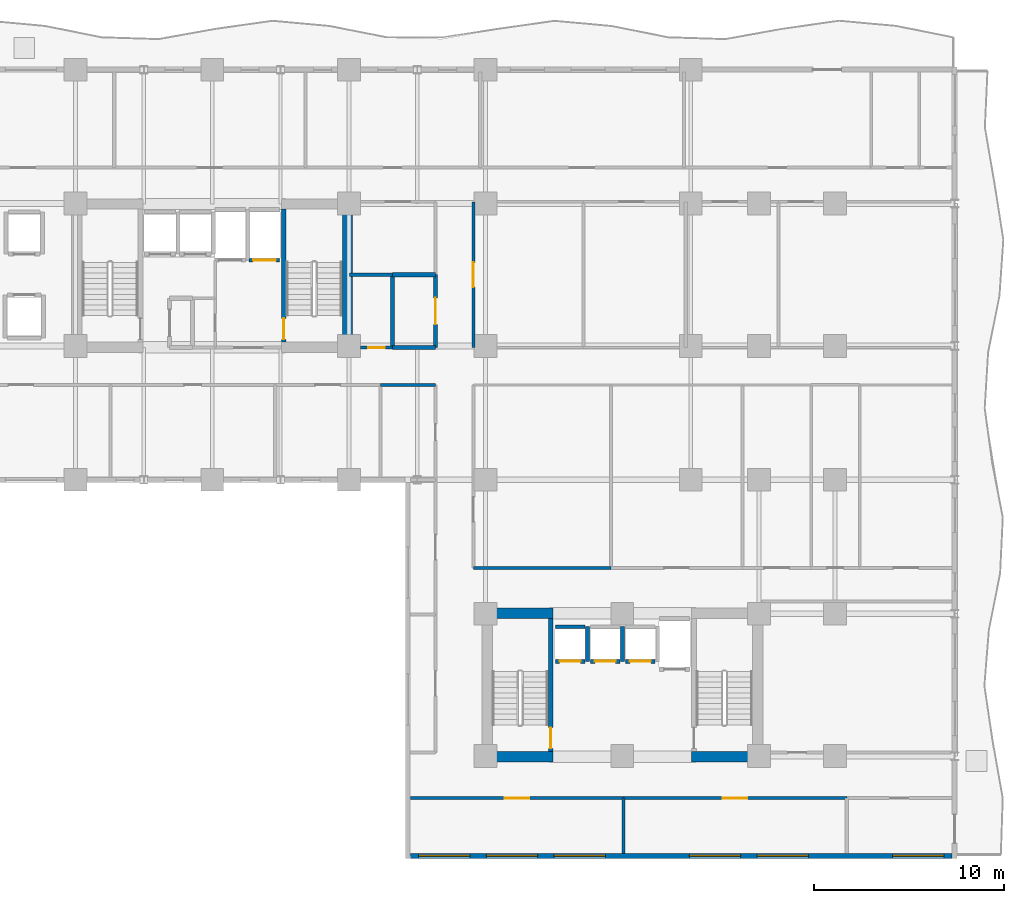
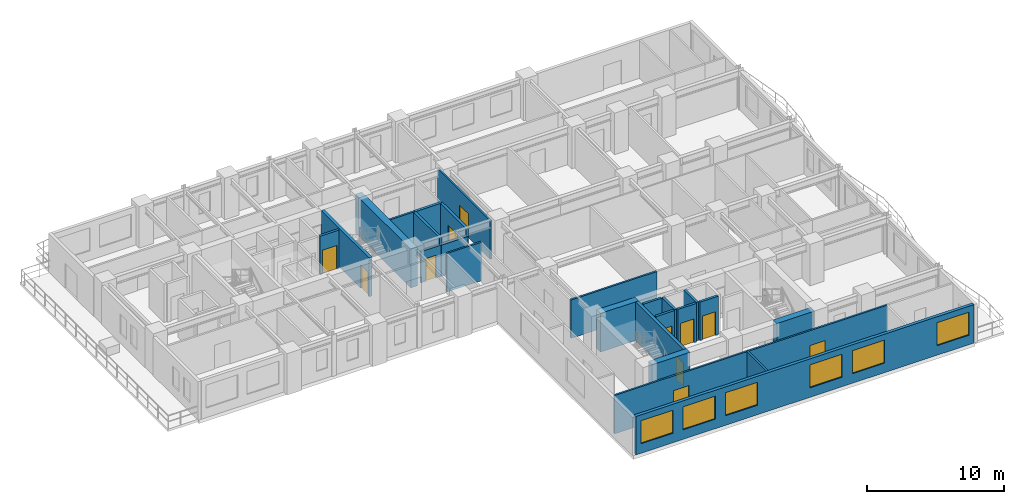
# One storey, part 4 of 11: 26 walls, 11 doors, 6 windows, 17 openings.
"""IFC4 building model written with IfcOpenShell, lengths in metres."""

from ifc_helpers import new_model, si_unit, direction, frame, frame_2d, origin, place, context, subcontext, project, spatial, rectangle, extrude, material, layer, layer_set, type_object, element, fill, save


model = new_model("IFC4")

# Units and contexts
model_context = context("Model", 3, precision=1e-05, world=origin(), true_north=direction((0.0, 1.0)))
body_context = subcontext(model_context, "Body", "Model", "MODEL_VIEW")
ifc_project = project(units=[si_unit("LENGTHUNIT", "METRE"), si_unit("AREAUNIT", "SQUARE_METRE"), si_unit("VOLUMEUNIT", "CUBIC_METRE"), si_unit("PLANEANGLEUNIT", "RADIAN"), si_unit("MASSUNIT", "GRAM", prefix="KILO")], contexts=[model_context])

# Site, building, storey
site_placement = place(None, origin())
site = spatial("IfcSite", under=ifc_project, at=site_placement, CompositionType="ELEMENT")
building_placement = place(site_placement, origin())
building = spatial("IfcBuilding", under=site, at=building_placement, Name="Kaliganga Portal Commons", CompositionType="ELEMENT")
storey_placement = place(building_placement, frame((0.0, 0.0, 78.60009765625)))
storey = spatial("IfcBuildingStorey", under=building, at=storey_placement, Name="L19", CompositionType="ELEMENT", Elevation=78.60009765625)

# Walls
ifc_material_1 = material(Name="Concrete C60/75", Category="concrete")
ifc_layer_1 = layer(ifc_material_1, 0.550048828125)
ifc_layer_set_1 = layer_set([ifc_layer_1], Name="Concrete C60/75")
wall_type_1 = type_object("IfcWallType", Name="WL-CORE-550", PredefinedType="SHEAR", material=ifc_layer_set_1)
wall_1_placement = place(storey_placement, frame((28.72509765625, 28.300048828125, 0.0), z_axis=(0.0, 0.0, 1.0), x_axis=(0.0, 1.0, 0.0)))
element("IfcWall", 1, at=wall_1_placement, inside=storey, type_object=wall_type_1, Name="Core A East Shear Wall L19", PredefinedType="SHEAR", context=body_context, shape_type="SweptSolid", body=[
    extrude(rectangle(XDim=8.099853515625, YDim=0.550048828125, at=frame_2d((4.0498046875, 0.0))), origin(), (0.0, 0.0, 1.0), 3.449951171875),
])
for number, where, z_axis, x_axis, name in (
    (2, (36.35009765625, 7.02490234375, 0.0), (0.0, 0.0, 1.0), (1.0, 0.0, 0.0), "Core B S-West Shear Wall L19"),
    (3, (46.85009765625, 7.02490234375, 0.0), (0.0, 0.0, 1.0), (1.0, 0.0, 0.0), "Core B S-East Shear Wall L19"),
    (4, (36.35009765625, 14.574951171875, 0.0), (0.0, 0.0, 1.0), (1.0, 0.0, 0.0), "Core B N-West Shear Wall L19"),
):
    element("IfcWall", number, at=place(storey_placement, frame(where, z_axis=z_axis, x_axis=x_axis)), inside=storey, type_object=wall_type_1, Name=name, PredefinedType="SHEAR", context=body_context, shape_type="SweptSolid", body=[
        extrude(rectangle(XDim=3.199951171875, YDim=0.550048828125, at=frame_2d((1.60009765625, 0.0))), origin(), (0.0, 0.0, 1.0), 3.449951171875),
    ])

# Wall, openings, windows
ifc_material_2 = material(Name="Insulated Aluminium-Clad Spandrel Assembly", Category="aluminium")
ifc_layer_2 = layer(ifc_material_2, 0.260009765625)
ifc_layer_set_2 = layer_set([ifc_layer_2], Name="Insulated Aluminium-Clad Spandrel Assembly")
wall_type_2 = type_object("IfcWallType", Name="WL-EXT-SPAND-260", PredefinedType="STANDARD", material=ifc_layer_set_2)
wall_2_placement = place(storey_placement, frame((60.56494140625, 1.800048828125, 0.0), z_axis=(0.0, 0.0, 1.0), x_axis=(-1.0, 0.0, 0.0)))
wall_2 = element("IfcWall", 5, at=wall_2_placement, inside=storey, type_object=wall_type_2, Name="Exterior Envelope Wall L19 P1-E00-S1", PredefinedType="STANDARD", context=body_context, shape_type="SweptSolid", body=[
    extrude(rectangle(XDim=28.530029296875, YDim=0.260009765625, at=frame_2d((14.26513671875, 0.0))), origin(), (0.0, 0.0, 1.0), 3.429931640625),
])
opening_1_placement = place(wall_2_placement, frame((0.43310546875, 0.0, 0.85009765625)))
opening_1 = element("IfcOpeningElement", 6, at=opening_1_placement, cuts=wall_2, Name="Opening W-07", PredefinedType="OPENING", context=body_context, shape_type="SweptSolid", body=[
    extrude(rectangle(XDim=2.699951171875, YDim=2.050048828125, at=frame_2d((1.35009765625, 1.02490234375))), frame((0.0, 0.14013671875, 0.0), z_axis=(0.0, -1.0, 0.0), x_axis=(1.0, 0.0, 0.0)), (0.0, 0.0, 1.0), 0.280029296875),
])
opening_2_placement = place(wall_2_placement, frame((7.565673828125, 0.0, 0.85009765625)))
opening_2 = element("IfcOpeningElement", 7, at=opening_2_placement, cuts=wall_2, Name="Opening W-07", PredefinedType="OPENING", context=body_context, shape_type="SweptSolid", body=[
    extrude(rectangle(XDim=2.699951171875, YDim=2.050048828125, at=frame_2d((1.35009765625, 1.02490234375))), frame((0.0, 0.14013671875, 0.0), z_axis=(0.0, -1.0, 0.0), x_axis=(1.0, 0.0, 0.0)), (0.0, 0.0, 1.0), 0.280029296875),
])
opening_3_placement = place(wall_2_placement, frame((11.1318359375, 0.0, 0.85009765625)))
opening_3 = element("IfcOpeningElement", 8, at=opening_3_placement, cuts=wall_2, Name="Opening W-07", PredefinedType="OPENING", context=body_context, shape_type="SweptSolid", body=[
    extrude(rectangle(XDim=2.699951171875, YDim=2.050048828125, at=frame_2d((1.35009765625, 1.02490234375))), frame((0.0, 0.14013671875, 0.0), z_axis=(0.0, -1.0, 0.0), x_axis=(1.0, 0.0, 0.0)), (0.0, 0.0, 1.0), 0.280029296875),
])
opening_4_placement = place(wall_2_placement, frame((18.264404296875, 0.0, 0.85009765625)))
opening_4 = element("IfcOpeningElement", 9, at=opening_4_placement, cuts=wall_2, Name="Opening W-07", PredefinedType="OPENING", context=body_context, shape_type="SweptSolid", body=[
    extrude(rectangle(XDim=2.699951171875, YDim=2.050048828125, at=frame_2d((1.35009765625, 1.02490234375))), frame((0.0, 0.14013671875, 0.0), z_axis=(0.0, -1.0, 0.0), x_axis=(1.0, 0.0, 0.0)), (0.0, 0.0, 1.0), 0.280029296875),
])
opening_5_placement = place(wall_2_placement, frame((21.83056640625, 0.0, 0.85009765625)))
opening_5 = element("IfcOpeningElement", 10, at=opening_5_placement, cuts=wall_2, Name="Opening W-07", PredefinedType="OPENING", context=body_context, shape_type="SweptSolid", body=[
    extrude(rectangle(XDim=2.699951171875, YDim=2.050048828125, at=frame_2d((1.35009765625, 1.02490234375))), frame((0.0, 0.14013671875, 0.0), z_axis=(0.0, -1.0, 0.0), x_axis=(1.0, 0.0, 0.0)), (0.0, 0.0, 1.0), 0.280029296875),
])
opening_6_placement = place(wall_2_placement, frame((25.39697265625, 0.0, 0.85009765625)))
opening_6 = element("IfcOpeningElement", 11, at=opening_6_placement, cuts=wall_2, Name="Opening W-07", PredefinedType="OPENING", context=body_context, shape_type="SweptSolid", body=[
    extrude(rectangle(XDim=2.699951171875, YDim=2.050048828125, at=frame_2d((1.35009765625, 1.02490234375))), frame((0.0, 0.14013671875, 0.0), z_axis=(0.0, -1.0, 0.0), x_axis=(1.0, 0.0, 0.0)), (0.0, 0.0, 1.0), 0.280029296875),
])
ifc_material_3 = material(Name="Thermally Broken Aluminium and Low-E Double Glazing", Category="aluminium")
window_type = type_object("IfcWindowType", Name="WIN-LOUNGE-2700", PartitioningType="TRIPLE_PANEL_VERTICAL", PredefinedType="WINDOW", material=ifc_material_3)
window_1_placement = place(opening_1_placement, origin())
window_1 = element("IfcWindow", 12, at=window_1_placement, inside=storey, type_object=window_type, Name="Facade Window L19-P1E00S1-00", OverallHeight=2.050048828125, OverallWidth=2.699951171875, PartitioningType="SINGLE_PANEL", PredefinedType="WINDOW", context=body_context, shape_type="SweptSolid", body=[
    extrude(rectangle(XDim=2.699951171875, YDim=2.050048828125, at=frame_2d((1.35009765625, 1.02490234375))), frame((0.0, 0.030029296875, 0.0), z_axis=(0.0, -1.0, 0.0), x_axis=(1.0, 0.0, 0.0)), (0.0, 0.0, 1.0), 0.06005859375),
])
fill(opening_1, window_1)
window_2_placement = place(opening_2_placement, origin())
window_2 = element("IfcWindow", 13, at=window_2_placement, inside=storey, type_object=window_type, Name="Facade Window L19-P1E00S1-02", OverallHeight=2.050048828125, OverallWidth=2.699951171875, PartitioningType="SINGLE_PANEL", PredefinedType="WINDOW", context=body_context, shape_type="SweptSolid", body=[
    extrude(rectangle(XDim=2.699951171875, YDim=2.050048828125, at=frame_2d((1.35009765625, 1.02490234375))), frame((0.0, 0.030029296875, 0.0), z_axis=(0.0, -1.0, 0.0), x_axis=(1.0, 0.0, 0.0)), (0.0, 0.0, 1.0), 0.06005859375),
])
fill(opening_2, window_2)
window_3_placement = place(opening_3_placement, origin())
window_3 = element("IfcWindow", 14, at=window_3_placement, inside=storey, type_object=window_type, Name="Facade Window L19-P1E00S1-03", OverallHeight=2.050048828125, OverallWidth=2.699951171875, PartitioningType="SINGLE_PANEL", PredefinedType="WINDOW", context=body_context, shape_type="SweptSolid", body=[
    extrude(rectangle(XDim=2.699951171875, YDim=2.050048828125, at=frame_2d((1.35009765625, 1.02490234375))), frame((0.0, 0.030029296875, 0.0), z_axis=(0.0, -1.0, 0.0), x_axis=(1.0, 0.0, 0.0)), (0.0, 0.0, 1.0), 0.06005859375),
])
fill(opening_3, window_3)
window_4_placement = place(opening_4_placement, origin())
window_4 = element("IfcWindow", 15, at=window_4_placement, inside=storey, type_object=window_type, Name="Facade Window L19-P1E00S1-05", OverallHeight=2.050048828125, OverallWidth=2.699951171875, PartitioningType="SINGLE_PANEL", PredefinedType="WINDOW", context=body_context, shape_type="SweptSolid", body=[
    extrude(rectangle(XDim=2.699951171875, YDim=2.050048828125, at=frame_2d((1.35009765625, 1.02490234375))), frame((0.0, 0.030029296875, 0.0), z_axis=(0.0, -1.0, 0.0), x_axis=(1.0, 0.0, 0.0)), (0.0, 0.0, 1.0), 0.06005859375),
])
fill(opening_4, window_4)
window_5_placement = place(opening_5_placement, origin())
window_5 = element("IfcWindow", 16, at=window_5_placement, inside=storey, type_object=window_type, Name="Facade Window L19-P1E00S1-06", OverallHeight=2.050048828125, OverallWidth=2.699951171875, PartitioningType="SINGLE_PANEL", PredefinedType="WINDOW", context=body_context, shape_type="SweptSolid", body=[
    extrude(rectangle(XDim=2.699951171875, YDim=2.050048828125, at=frame_2d((1.35009765625, 1.02490234375))), frame((0.0, 0.030029296875, 0.0), z_axis=(0.0, -1.0, 0.0), x_axis=(1.0, 0.0, 0.0)), (0.0, 0.0, 1.0), 0.06005859375),
])
fill(opening_5, window_5)
window_6_placement = place(opening_6_placement, origin())
window_6 = element("IfcWindow", 17, at=window_6_placement, inside=storey, type_object=window_type, Name="Facade Window L19-P1E00S1-07", OverallHeight=2.050048828125, OverallWidth=2.699951171875, PartitioningType="SINGLE_PANEL", PredefinedType="WINDOW", context=body_context, shape_type="SweptSolid", body=[
    extrude(rectangle(XDim=2.699951171875, YDim=2.050048828125, at=frame_2d((1.35009765625, 1.02490234375))), frame((0.0, 0.030029296875, 0.0), z_axis=(0.0, -1.0, 0.0), x_axis=(1.0, 0.0, 0.0)), (0.0, 0.0, 1.0), 0.06005859375),
])
fill(opening_6, window_6)

# Wall, opening, door
ifc_material_4 = material(Name="Fire-Rated Gypsum Board on Steel Stud", Category="steel")
ifc_layer_3 = layer(ifc_material_4, 0.14990234375)
ifc_layer_set_3 = layer_set([ifc_layer_3], Name="Fire-Rated Gypsum Board on Steel Stud")
wall_type_3 = type_object("IfcWallType", Name="WL-PART-CORR-150", PredefinedType="PARTITIONING", material=ifc_layer_set_3)
wall_3_placement = place(storey_placement, frame((43.260009765625, 4.840087890625, 0.0), z_axis=(0.0, 0.0, 1.0), x_axis=(1.0, 0.0, 0.0)))
wall_3 = element("IfcWall", 18, at=wall_3_placement, inside=storey, type_object=wall_type_3, Name="Interior Partition L19-001", PredefinedType="PARTITIONING", context=body_context, shape_type="SweptSolid", body=[
    extrude(rectangle(XDim=11.760009765625, YDim=0.14990234375, at=frame_2d((5.8798828125, 0.0))), origin(), (0.0, 0.0, 1.0), 3.429931640625),
])
opening_7_placement = place(wall_3_placement, frame((5.22998046875, 0.0, 0.0)))
opening_7 = element("IfcOpeningElement", 19, at=opening_7_placement, cuts=wall_3, Name="Opening RD-03", PredefinedType="OPENING", context=body_context, shape_type="SweptSolid", body=[
    extrude(rectangle(XDim=1.300048828125, YDim=2.1201171875, at=frame_2d((0.64990234375, 1.06005859375))), frame((0.0, 0.0849609375, 0.0), z_axis=(0.0, -1.0, 0.0), x_axis=(1.0, 0.0, 0.0)), (0.0, 0.0, 1.0), 0.169921875),
])
ifc_material_5 = material(Name="Glazed Timber Seminar Vision Door", Category="wood")
door_type_1 = type_object("IfcDoorType", Name="DR-STUDY-1300", OperationType="DOUBLE_DOOR_SINGLE_SWING", PredefinedType="DOOR", material=ifc_material_5)
door_1_placement = place(opening_7_placement, origin())
door_1 = element("IfcDoor", 20, at=door_1_placement, inside=storey, type_object=door_type_1, Name="Interior Door L19-BS02", OperationType="DOUBLE_DOOR_SINGLE_SWING", OverallHeight=2.1201171875, OverallWidth=1.300048828125, PredefinedType="DOOR", context=body_context, shape_type="SweptSolid", body=[
    extrude(rectangle(XDim=1.300048828125, YDim=2.1201171875, at=frame_2d((0.64990234375, 1.06005859375))), frame((0.0, 0.02490234375, 0.0), z_axis=(0.0, -1.0, 0.0), x_axis=(1.0, 0.0, 0.0)), (0.0, 0.0, 1.0), 0.050048828125),
])
fill(opening_7, door_1)

wall_4_placement = place(storey_placement, frame((32.031982421875, 4.840087890625, 0.0), z_axis=(0.0, 0.0, 1.0), x_axis=(1.0, 0.0, 0.0)))
wall_4 = element("IfcWall", 21, at=wall_4_placement, inside=storey, type_object=wall_type_3, Name="Interior Partition L19-002", PredefinedType="PARTITIONING", context=body_context, shape_type="SweptSolid", body=[
    extrude(rectangle(XDim=11.22802734375, YDim=0.14990234375, at=frame_2d((5.614013671875, 0.0))), origin(), (0.0, 0.0, 1.0), 3.429931640625),
])
opening_8_placement = place(wall_4_placement, frame((4.964111328125, 0.0, 0.0)))
opening_8 = element("IfcOpeningElement", 22, at=opening_8_placement, cuts=wall_4, Name="Opening RD-03", PredefinedType="OPENING", context=body_context, shape_type="SweptSolid", body=[
    extrude(rectangle(XDim=1.300048828125, YDim=2.1201171875, at=frame_2d((0.64990234375, 1.06005859375))), frame((0.0, 0.0849609375, 0.0), z_axis=(0.0, -1.0, 0.0), x_axis=(1.0, 0.0, 0.0)), (0.0, 0.0, 1.0), 0.169921875),
])
door_2_placement = place(opening_8_placement, origin())
door_2 = element("IfcDoor", 23, at=door_2_placement, inside=storey, type_object=door_type_1, Name="Interior Door L19-BS01", OperationType="DOUBLE_DOOR_SINGLE_SWING", OverallHeight=2.1201171875, OverallWidth=1.300048828125, PredefinedType="DOOR", context=body_context, shape_type="SweptSolid", body=[
    extrude(rectangle(XDim=1.300048828125, YDim=2.1201171875, at=frame_2d((0.64990234375, 1.06005859375))), frame((0.0, 0.02490234375, 0.0), z_axis=(0.0, -1.0, 0.0), x_axis=(1.0, 0.0, 0.0)), (0.0, 0.0, 1.0), 0.050048828125),
])
fill(opening_8, door_2)

wall_5_placement = place(storey_placement, frame((35.360107421875, 28.56005859375, 0.0), z_axis=(0.0, 0.0, 1.0), x_axis=(0.0, 1.0, 0.0)))
wall_5 = element("IfcWall", 24, at=wall_5_placement, inside=storey, type_object=wall_type_3, Name="Interior Partition L19-016", PredefinedType="PARTITIONING", context=body_context, shape_type="SweptSolid", body=[
    extrude(rectangle(XDim=7.679931640625, YDim=0.14990234375, at=frame_2d((3.83984375, 0.0))), origin(), (0.0, 0.0, 1.0), 3.429931640625),
])
opening_9_placement = place(wall_5_placement, frame((3.18994140625, 0.0, 0.0)))
opening_9 = element("IfcOpeningElement", 25, at=opening_9_placement, cuts=wall_5, Name="Opening RD-03", PredefinedType="OPENING", context=body_context, shape_type="SweptSolid", body=[
    extrude(rectangle(XDim=1.300048828125, YDim=2.1201171875, at=frame_2d((0.64990234375, 1.06005859375))), frame((0.0, 0.0849609375, 0.0), z_axis=(0.0, -1.0, 0.0), x_axis=(1.0, 0.0, 0.0)), (0.0, 0.0, 1.0), 0.169921875),
])
door_3_placement = place(opening_9_placement, origin())
door_3 = element("IfcDoor", 26, at=door_3_placement, inside=storey, type_object=door_type_1, Name="Interior Door L19-BK01", OperationType="DOUBLE_DOOR_SINGLE_SWING", OverallHeight=2.1201171875, OverallWidth=1.300048828125, PredefinedType="DOOR", context=body_context, shape_type="SweptSolid", body=[
    extrude(rectangle(XDim=1.300048828125, YDim=2.1201171875, at=frame_2d((0.64990234375, 1.06005859375))), frame((0.0, 0.02490234375, 0.0), z_axis=(0.0, -1.0, 0.0), x_axis=(1.0, 0.0, 0.0)), (0.0, 0.0, 1.0), 0.050048828125),
])
fill(opening_9, door_3)

# Walls
wall_6_placement = place(storey_placement, frame((35.360107421875, 16.9599609375, 0.0), z_axis=(0.0, 0.0, 1.0), x_axis=(1.0, 0.0, 0.0)))
element("IfcWall", 27, at=wall_6_placement, inside=storey, type_object=wall_type_3, Name="Interior Partition L19-018", PredefinedType="PARTITIONING", context=body_context, shape_type="SweptSolid", body=[
    extrude(rectangle(XDim=7.239990234375, YDim=0.14990234375, at=frame_2d((3.6201171875, 0.0))), origin(), (0.0, 0.0, 1.0), 3.429931640625),
])
wall_7_placement = place(storey_placement, frame((30.4599609375, 26.60009765625, 0.0), z_axis=(0.0, 0.0, 1.0), x_axis=(1.0, 0.0, 0.0)))
element("IfcWall", 28, at=wall_7_placement, inside=storey, type_object=wall_type_3, Name="Interior Partition L19-033", PredefinedType="PARTITIONING", context=body_context, shape_type="SweptSolid", body=[
    extrude(rectangle(XDim=2.900146484375, YDim=0.14990234375, at=frame_2d((1.4501953125, 0.0))), origin(), (0.0, 0.0, 1.0), 3.429931640625),
])

# Wall, opening, door
wall_8_placement = place(storey_placement, frame((29.39990234375, 28.56005859375, 0.0), z_axis=(0.0, 0.0, 1.0), x_axis=(1.0, 0.0, 0.0)))
wall_8 = element("IfcWall", 29, at=wall_8_placement, inside=storey, type_object=wall_type_3, Name="Interior Partition L19-038", PredefinedType="PARTITIONING", context=body_context, shape_type="SweptSolid", body=[
    extrude(rectangle(XDim=1.7001953125, YDim=0.14990234375, at=frame_2d((0.85009765625, 0.0))), origin(), (0.0, 0.0, 1.0), 2.77978515625),
])
opening_10_placement = place(wall_8_placement, frame((0.419921875, 0.0, 0.0)))
opening_10 = element("IfcOpeningElement", 30, at=opening_10_placement, cuts=wall_8, Name="Opening WD-02", PredefinedType="OPENING", context=body_context, shape_type="SweptSolid", body=[
    extrude(rectangle(XDim=0.860107421875, YDim=2.02001953125, at=frame_2d((0.43017578125, 1.010009765625))), frame((0.0, 0.0849609375, 0.0), z_axis=(0.0, -1.0, 0.0), x_axis=(1.0, 0.0, 0.0)), (0.0, 0.0, 1.0), 0.169921875),
])
ifc_material_6 = material(Name="Fire-Rated Utility Closet Door", Category="wood")
door_type_2 = type_object("IfcDoorType", Name="DR-STORE-800", OperationType="NOTDEFINED", PredefinedType="DOOR", material=ifc_material_6)
door_4_placement = place(opening_10_placement, origin())
door_4 = element("IfcDoor", 31, at=door_4_placement, inside=storey, type_object=door_type_2, Name="Interior Door L19-CSRV_A1", OperationType="SINGLE_SWING_LEFT", OverallHeight=2.02001953125, OverallWidth=0.860107421875, PredefinedType="DOOR", context=body_context, shape_type="SweptSolid", body=[
    extrude(rectangle(XDim=0.860107421875, YDim=2.02001953125, at=frame_2d((0.43017578125, 1.010009765625))), frame((0.0, 0.02490234375, 0.0), z_axis=(0.0, -1.0, 0.0), x_axis=(1.0, 0.0, 0.0)), (0.0, 0.0, 1.0), 0.050048828125),
])
fill(opening_10, door_4)

ifc_material_7 = material(Name="Lightweight blockwork masonry", Category="masonry")
ifc_layer_4 = layer(ifc_material_7, 0.215087890625)
ifc_layer_set_4 = layer_set([ifc_layer_4], Name="Lightweight blockwork masonry")
wall_type_4 = type_object("IfcWallType", Name="WL-PART-PLANT-215", PredefinedType="PARTITIONING", material=ifc_layer_set_4)
wall_9_placement = place(storey_placement, frame((33.360107421875, 28.56005859375, 0.0), z_axis=(0.0, 0.0, 1.0), x_axis=(0.0, 1.0, 0.0)))
wall_9 = element("IfcWall", 32, at=wall_9_placement, inside=storey, type_object=wall_type_4, Name="Interior Partition L19-031", PredefinedType="PARTITIONING", context=body_context, shape_type="SweptSolid", body=[
    extrude(rectangle(XDim=3.83984375, YDim=0.215087890625, at=frame_2d((1.919921875, 0.0))), origin(), (0.0, 0.0, 1.0), 3.429931640625),
])
opening_11_placement = place(wall_9_placement, frame((1.219970703125, 0.0, 0.0)))
opening_11 = element("IfcOpeningElement", 33, at=opening_11_placement, cuts=wall_9, Name="Opening PD-01", PredefinedType="OPENING", context=body_context, shape_type="SweptSolid", body=[
    extrude(rectangle(XDim=1.39990234375, YDim=2.14990234375, at=frame_2d((0.699951171875, 1.074951171875))), frame((0.0, 0.11767578125, 0.0), z_axis=(0.0, -1.0, 0.0), x_axis=(1.0, 0.0, 0.0)), (0.0, 0.0, 1.0), 0.235107421875),
])
ifc_material_8 = material(Name="Heavy-Duty Steel Acoustic Louvre Fire Door", Category="steel")
door_type_3 = type_object("IfcDoorType", Name="DR-PLANT-1400", OperationType="DOUBLE_DOOR_SINGLE_SWING", PredefinedType="DOOR", material=ifc_material_8)
door_5_placement = place(opening_11_placement, origin())
door_5 = element("IfcDoor", 34, at=door_5_placement, inside=storey, type_object=door_type_3, Name="Interior Door L19-CSRV_A3", OperationType="DOUBLE_DOOR_SINGLE_SWING", OverallHeight=2.14990234375, OverallWidth=1.39990234375, PredefinedType="DOOR", context=body_context, shape_type="SweptSolid", body=[
    extrude(rectangle(XDim=1.39990234375, YDim=2.14990234375, at=frame_2d((0.699951171875, 1.074951171875))), frame((0.0, 0.02490234375, 0.0), z_axis=(0.0, -1.0, 0.0), x_axis=(1.0, 0.0, 0.0)), (0.0, 0.0, 1.0), 0.050048828125),
])
fill(opening_11, door_5)

# Walls
wall_10_placement = place(storey_placement, frame((31.10009765625, 28.56005859375, 0.0), z_axis=(0.0, 0.0, 1.0), x_axis=(1.0, 0.0, 0.0)))
element("IfcWall", 35, at=wall_10_placement, inside=storey, type_object=wall_type_4, Name="Interior Partition L19-039", PredefinedType="PARTITIONING", context=body_context, shape_type="SweptSolid", body=[
    extrude(rectangle(XDim=2.260009765625, YDim=0.215087890625, at=frame_2d((1.1298828125, 0.0))), origin(), (0.0, 0.0, 1.0), 2.77978515625),
])
wall_11_placement = place(storey_placement, frame((31.10009765625, 28.56005859375, 0.0), z_axis=(0.0, 0.0, 1.0), x_axis=(0.0, 1.0, 0.0)))
element("IfcWall", 36, at=wall_11_placement, inside=storey, type_object=wall_type_4, Name="Interior Partition L19-071", PredefinedType="PARTITIONING", context=body_context, shape_type="SweptSolid", body=[
    extrude(rectangle(XDim=3.83984375, YDim=0.215087890625, at=frame_2d((1.919921875, 0.0))), origin(), (0.0, 0.0, 1.0), 3.429931640625),
])
wall_12_placement = place(storey_placement, frame((31.10009765625, 32.39990234375, 0.0), z_axis=(0.0, 0.0, 1.0), x_axis=(1.0, 0.0, 0.0)))
element("IfcWall", 37, at=wall_12_placement, inside=storey, type_object=wall_type_4, Name="Interior Partition L19-079", PredefinedType="PARTITIONING", context=body_context, shape_type="SweptSolid", body=[
    extrude(rectangle(XDim=2.260009765625, YDim=0.215087890625, at=frame_2d((1.1298828125, 0.0))), origin(), (0.0, 0.0, 1.0), 3.429931640625),
])
ifc_material_9 = material(Name="Twin-Stud Acoustic Gypsum Partition", Category="gypsum")
ifc_layer_5 = layer(ifc_material_9, 0.1650390625)
ifc_layer_set_5 = layer_set([ifc_layer_5], Name="Twin-Stud Acoustic Gypsum Partition")
wall_type_5 = type_object("IfcWallType", Name="WL-PART-UNIT-165", PredefinedType="PARTITIONING", material=ifc_layer_set_5)
wall_13_placement = place(storey_placement, frame((43.260009765625, 1.931884765625, 0.0), z_axis=(0.0, 0.0, 1.0), x_axis=(0.0, 1.0, 0.0)))
element("IfcWall", 38, at=wall_13_placement, inside=storey, type_object=wall_type_5, Name="Interior Partition L19-074", PredefinedType="PARTITIONING", context=body_context, shape_type="SweptSolid", body=[
    extrude(rectangle(XDim=2.908203125, YDim=0.1650390625, at=frame_2d((1.4541015625, 0.0))), origin(), (0.0, 0.0, 1.0), 3.429931640625),
])
wall_14_placement = place(storey_placement, frame((28.840087890625, 32.39990234375, 0.0), z_axis=(0.0, 0.0, 1.0), x_axis=(1.0, 0.0, 0.0)))
element("IfcWall", 39, at=wall_14_placement, inside=storey, type_object=wall_type_5, Name="Interior Partition L19-078", PredefinedType="PARTITIONING", context=body_context, shape_type="SweptSolid", body=[
    extrude(rectangle(XDim=2.260009765625, YDim=0.1650390625, at=frame_2d((1.1298828125, 0.0))), origin(), (0.0, 0.0, 1.0), 3.429931640625),
])

# Wall, opening, door
ifc_material_10 = material(Name="Fire-Rated Shaftwall Masonry Assembly", Category="masonry")
ifc_layer_6 = layer(ifc_material_10, 0.199951171875)
ifc_layer_set_6 = layer_set([ifc_layer_6], Name="Fire-Rated Shaftwall Masonry Assembly")
wall_type_6 = type_object("IfcWallType", Name="WL-SHAFT-200", PredefinedType="PARTITIONING", material=ifc_layer_set_6)
wall_15_placement = place(storey_placement, frame((23.550048828125, 33.159912109375, 0.0), z_axis=(0.0, 0.0, 1.0), x_axis=(1.0, 0.0, 0.0)))
wall_15 = element("IfcWall", 40, at=wall_15_placement, inside=storey, type_object=wall_type_6, Name="Lift FFL-2 Hoistway Shaft Wall L19-S", PredefinedType="PARTITIONING", context=body_context, shape_type="SweptSolid", body=[
    extrude(rectangle(XDim=1.599853515625, YDim=0.199951171875, at=frame_2d((0.7998046875, 0.0))), origin(), (0.0, 0.0, 1.0), 3.429931640625),
])
opening_12_placement = place(wall_15_placement, frame((0.199951171875, 0.0, 0.0)))
opening_12 = element("IfcOpeningElement", 41, at=opening_12_placement, cuts=wall_15, Name="Opening LD-02", PredefinedType="OPENING", context=body_context, shape_type="SweptSolid", body=[
    extrude(rectangle(XDim=1.199951171875, YDim=2.1201171875, at=frame_2d((0.60009765625, 1.06005859375))), frame((0.0, 0.10986328125, 0.0), z_axis=(0.0, -1.0, 0.0), x_axis=(1.0, 0.0, 0.0)), (0.0, 0.0, 1.0), 0.219970703125),
])
ifc_material_11 = material(Name="Brushed Stainless Steel 316 Stretcher Lift Landing Door", Category="steel")
door_type_4 = type_object("IfcDoorType", Name="DR-LIFT-1200", OperationType="SLIDING_TO_RIGHT", PredefinedType="DOOR", material=ifc_material_11)
door_6_placement = place(opening_12_placement, origin())
door_6 = element("IfcDoor", 42, at=door_6_placement, inside=storey, type_object=door_type_4, Name="Lift FFL-2 Sliding Landing Door L19", OperationType="SLIDING_TO_RIGHT", OverallHeight=2.1201171875, OverallWidth=1.199951171875, PredefinedType="DOOR", context=body_context, shape_type="SweptSolid", body=[
    extrude(rectangle(XDim=1.199951171875, YDim=2.1201171875, at=frame_2d((0.60009765625, 1.06005859375))), frame((0.0, 0.02490234375, 0.0), z_axis=(0.0, -1.0, 0.0), x_axis=(1.0, 0.0, 0.0)), (0.0, 0.0, 1.0), 0.050048828125),
])
fill(opening_12, door_6)

wall_16_placement = place(storey_placement, frame((39.675048828125, 12.034912109375, 0.0), z_axis=(0.0, 0.0, 1.0), x_axis=(1.0, 0.0, 0.0)))
wall_16 = element("IfcWall", 43, at=wall_16_placement, inside=storey, type_object=wall_type_6, Name="Lift PL-B1 Hoistway Shaft Wall L19-S", PredefinedType="PARTITIONING", context=body_context, shape_type="SweptSolid", body=[
    extrude(rectangle(XDim=1.550048828125, YDim=0.199951171875, at=frame_2d((0.77490234375, 0.0))), origin(), (0.0, 0.0, 1.0), 3.429931640625),
])
opening_13_placement = place(wall_16_placement, frame((0.22509765625, 0.0, 0.0)))
opening_13 = element("IfcOpeningElement", 44, at=opening_13_placement, cuts=wall_16, Name="Opening LD-01", PredefinedType="OPENING", context=body_context, shape_type="SweptSolid", body=[
    extrude(rectangle(XDim=1.10009765625, YDim=2.1201171875, at=frame_2d((0.550048828125, 1.06005859375))), frame((0.0, 0.10986328125, 0.0), z_axis=(0.0, -1.0, 0.0), x_axis=(1.0, 0.0, 0.0)), (0.0, 0.0, 1.0), 0.219970703125),
])
ifc_material_12 = material(Name="Brushed Stainless Steel 316 Lift Landing Door", Category="steel")
door_type_5 = type_object("IfcDoorType", Name="DR-LIFT-1100", OperationType="SLIDING_TO_LEFT", PredefinedType="DOOR", material=ifc_material_12)
door_7_placement = place(opening_13_placement, origin())
door_7 = element("IfcDoor", 45, at=door_7_placement, inside=storey, type_object=door_type_5, Name="Lift PL-B1 Sliding Landing Door L19", OperationType="SLIDING_TO_LEFT", OverallHeight=2.1201171875, OverallWidth=1.10009765625, PredefinedType="DOOR", context=body_context, shape_type="SweptSolid", body=[
    extrude(rectangle(XDim=1.10009765625, YDim=2.1201171875, at=frame_2d((0.550048828125, 1.06005859375))), frame((0.0, 0.02490234375, 0.0), z_axis=(0.0, -1.0, 0.0), x_axis=(1.0, 0.0, 0.0)), (0.0, 0.0, 1.0), 0.050048828125),
])
fill(opening_13, door_7)

# Walls
wall_17_placement = place(storey_placement, frame((39.675048828125, 13.864990234375, 0.0), z_axis=(0.0, 0.0, 1.0), x_axis=(1.0, 0.0, 0.0)))
element("IfcWall", 46, at=wall_17_placement, inside=storey, type_object=wall_type_6, Name="Lift PL-B1 Hoistway Shaft Wall L19-N", PredefinedType="PARTITIONING", context=body_context, shape_type="SweptSolid", body=[
    extrude(rectangle(XDim=1.550048828125, YDim=0.199951171875, at=frame_2d((0.77490234375, 0.0))), origin(), (0.0, 0.0, 1.0), 3.429931640625),
])
wall_18_placement = place(storey_placement, frame((41.364990234375, 12.034912109375, 0.0), z_axis=(0.0, 0.0, 1.0), x_axis=(0.0, 1.0, 0.0)))
element("IfcWall", 47, at=wall_18_placement, inside=storey, type_object=wall_type_6, Name="Lift PL-B1 Hoistway Shaft Wall L19-E", PredefinedType="PARTITIONING", context=body_context, shape_type="SweptSolid", body=[
    extrude(rectangle(XDim=1.830078125, YDim=0.199951171875, at=frame_2d((0.9150390625, 0.0))), origin(), (0.0, 0.0, 1.0), 3.429931640625),
])

# Wall, opening, door
wall_19_placement = place(storey_placement, frame((41.52490234375, 12.034912109375, 0.0), z_axis=(0.0, 0.0, 1.0), x_axis=(1.0, 0.0, 0.0)))
wall_19 = element("IfcWall", 48, at=wall_19_placement, inside=storey, type_object=wall_type_6, Name="Lift PL-B2 Hoistway Shaft Wall L19-S", PredefinedType="PARTITIONING", context=body_context, shape_type="SweptSolid", body=[
    extrude(rectangle(XDim=1.550048828125, YDim=0.199951171875, at=frame_2d((0.77490234375, 0.0))), origin(), (0.0, 0.0, 1.0), 3.429931640625),
])
opening_14_placement = place(wall_19_placement, frame((0.22509765625, 0.0, 0.0)))
opening_14 = element("IfcOpeningElement", 49, at=opening_14_placement, cuts=wall_19, Name="Opening LD-01", PredefinedType="OPENING", context=body_context, shape_type="SweptSolid", body=[
    extrude(rectangle(XDim=1.10009765625, YDim=2.1201171875, at=frame_2d((0.550048828125, 1.06005859375))), frame((0.0, 0.10986328125, 0.0), z_axis=(0.0, -1.0, 0.0), x_axis=(1.0, 0.0, 0.0)), (0.0, 0.0, 1.0), 0.219970703125),
])
door_8_placement = place(opening_14_placement, origin())
door_8 = element("IfcDoor", 50, at=door_8_placement, inside=storey, type_object=door_type_5, Name="Lift PL-B2 Sliding Landing Door L19", OperationType="SLIDING_TO_LEFT", OverallHeight=2.1201171875, OverallWidth=1.10009765625, PredefinedType="DOOR", context=body_context, shape_type="SweptSolid", body=[
    extrude(rectangle(XDim=1.10009765625, YDim=2.1201171875, at=frame_2d((0.550048828125, 1.06005859375))), frame((0.0, 0.02490234375, 0.0), z_axis=(0.0, -1.0, 0.0), x_axis=(1.0, 0.0, 0.0)), (0.0, 0.0, 1.0), 0.050048828125),
])
fill(opening_14, door_8)

# Wall
wall_20_placement = place(storey_placement, frame((43.215087890625, 12.034912109375, 0.0), z_axis=(0.0, 0.0, 1.0), x_axis=(0.0, 1.0, 0.0)))
element("IfcWall", 51, at=wall_20_placement, inside=storey, type_object=wall_type_6, Name="Lift PL-B2 Hoistway Shaft Wall L19-E", PredefinedType="PARTITIONING", context=body_context, shape_type="SweptSolid", body=[
    extrude(rectangle(XDim=1.830078125, YDim=0.199951171875, at=frame_2d((0.9150390625, 0.0))), origin(), (0.0, 0.0, 1.0), 3.429931640625),
])

# Wall, opening, door
wall_21_placement = place(storey_placement, frame((43.375, 12.034912109375, 0.0), z_axis=(0.0, 0.0, 1.0), x_axis=(1.0, 0.0, 0.0)))
wall_21 = element("IfcWall", 52, at=wall_21_placement, inside=storey, type_object=wall_type_6, Name="Lift SH-2 Hoistway Shaft Wall L19-S", PredefinedType="PARTITIONING", context=body_context, shape_type="SweptSolid", body=[
    extrude(rectangle(XDim=1.550048828125, YDim=0.199951171875, at=frame_2d((0.77490234375, 0.0))), origin(), (0.0, 0.0, 1.0), 3.429931640625),
])
opening_15_placement = place(wall_21_placement, frame((0.22509765625, 0.0, 0.0)))
opening_15 = element("IfcOpeningElement", 53, at=opening_15_placement, cuts=wall_21, Name="Opening LD-01", PredefinedType="OPENING", context=body_context, shape_type="SweptSolid", body=[
    extrude(rectangle(XDim=1.10009765625, YDim=2.1201171875, at=frame_2d((0.550048828125, 1.06005859375))), frame((0.0, 0.10986328125, 0.0), z_axis=(0.0, -1.0, 0.0), x_axis=(1.0, 0.0, 0.0)), (0.0, 0.0, 1.0), 0.219970703125),
])
door_9_placement = place(opening_15_placement, origin())
door_9 = element("IfcDoor", 54, at=door_9_placement, inside=storey, type_object=door_type_5, Name="Lift SH-2 Sliding Landing Door L19", OperationType="SLIDING_TO_LEFT", OverallHeight=2.1201171875, OverallWidth=1.10009765625, PredefinedType="DOOR", context=body_context, shape_type="SweptSolid", body=[
    extrude(rectangle(XDim=1.10009765625, YDim=2.1201171875, at=frame_2d((0.550048828125, 1.06005859375))), frame((0.0, 0.02490234375, 0.0), z_axis=(0.0, -1.0, 0.0), x_axis=(1.0, 0.0, 0.0)), (0.0, 0.0, 1.0), 0.050048828125),
])
fill(opening_15, door_9)

ifc_material_13 = material(Name="Concrete C50/60", Category="concrete")
ifc_layer_7 = layer(ifc_material_13, 0.25)
ifc_layer_set_7 = layer_set([ifc_layer_7], Name="Concrete C50/60")
wall_type_7 = type_object("IfcWallType", Name="WL-STAIR-250", PredefinedType="SHEAR", material=ifc_layer_set_7)
wall_22_placement = place(storey_placement, frame((25.375, 28.85009765625, 0.0), z_axis=(0.0, 0.0, 1.0), x_axis=(0.0, 1.0, 0.0)))
wall_22 = element("IfcWall", 55, at=wall_22_placement, inside=storey, type_object=wall_type_7, Name="Stair A2 Enclosure Shear Wall L19", PredefinedType="SHEAR", context=body_context, shape_type="SweptSolid", body=[
    extrude(rectangle(XDim=7.0, YDim=0.25, at=frame_2d((3.5, 0.0))), origin(), (0.0, 0.0, 1.0), 3.449951171875),
])
opening_16_placement = place(wall_22_placement, frame((0.14990234375, 0.0, 0.0)))
opening_16 = element("IfcOpeningElement", 56, at=opening_16_placement, cuts=wall_22, Name="Opening SD-01", PredefinedType="OPENING", context=body_context, shape_type="SweptSolid", body=[
    extrude(rectangle(XDim=1.10009765625, YDim=2.080078125, at=frame_2d((0.550048828125, 1.0400390625))), frame((0.0, 0.135009765625, 0.0), z_axis=(0.0, -1.0, 0.0), x_axis=(1.0, 0.0, 0.0)), (0.0, 0.0, 1.0), 0.27001953125),
])
ifc_material_14 = material(Name="Galvanized Steel Fire Door Leaf and Frame", Category="steel")
door_type_6 = type_object("IfcDoorType", Name="DR-STAIR-1100", OperationType="NOTDEFINED", PredefinedType="DOOR", material=ifc_material_14)
door_10_placement = place(opening_16_placement, origin())
door_10 = element("IfcDoor", 57, at=door_10_placement, inside=storey, type_object=door_type_6, Name="Protected Stair ST-A2 Fire Door L19", OperationType="SINGLE_SWING_RIGHT", OverallHeight=2.080078125, OverallWidth=1.10009765625, PredefinedType="DOOR", context=body_context, shape_type="SweptSolid", body=[
    extrude(rectangle(XDim=1.10009765625, YDim=2.080078125, at=frame_2d((0.550048828125, 1.0400390625))), frame((0.0, 0.02490234375, 0.0), z_axis=(0.0, -1.0, 0.0), x_axis=(1.0, 0.0, 0.0)), (0.0, 0.0, 1.0), 0.050048828125),
])
fill(opening_16, door_10)

wall_23_placement = place(storey_placement, frame((39.425048828125, 7.300048828125, 0.0), z_axis=(0.0, 0.0, 1.0), x_axis=(0.0, 1.0, 0.0)))
wall_23 = element("IfcWall", 58, at=wall_23_placement, inside=storey, type_object=wall_type_7, Name="Stair B1 Enclosure Shear Wall L19", PredefinedType="SHEAR", context=body_context, shape_type="SweptSolid", body=[
    extrude(rectangle(XDim=7.0, YDim=0.25, at=frame_2d((3.5, 0.0))), origin(), (0.0, 0.0, 1.0), 3.449951171875),
])
opening_17_placement = place(wall_23_placement, frame((0.14990234375, 0.0, 0.0)))
opening_17 = element("IfcOpeningElement", 59, at=opening_17_placement, cuts=wall_23, Name="Opening SD-01", PredefinedType="OPENING", context=body_context, shape_type="SweptSolid", body=[
    extrude(rectangle(XDim=1.10009765625, YDim=2.080078125, at=frame_2d((0.550048828125, 1.0400390625))), frame((0.0, 0.135009765625, 0.0), z_axis=(0.0, -1.0, 0.0), x_axis=(1.0, 0.0, 0.0)), (0.0, 0.0, 1.0), 0.27001953125),
])
door_11_placement = place(opening_17_placement, origin())
door_11 = element("IfcDoor", 60, at=door_11_placement, inside=storey, type_object=door_type_6, Name="Protected Stair ST-B1 Fire Door L19", OperationType="SINGLE_SWING_LEFT", OverallHeight=2.080078125, OverallWidth=1.10009765625, PredefinedType="DOOR", context=body_context, shape_type="SweptSolid", body=[
    extrude(rectangle(XDim=1.10009765625, YDim=2.080078125, at=frame_2d((0.550048828125, 1.0400390625))), frame((0.0, 0.02490234375, 0.0), z_axis=(0.0, -1.0, 0.0), x_axis=(1.0, 0.0, 0.0)), (0.0, 0.0, 1.0), 0.050048828125),
])
fill(opening_17, door_11)

save(model, "model.ifc")
